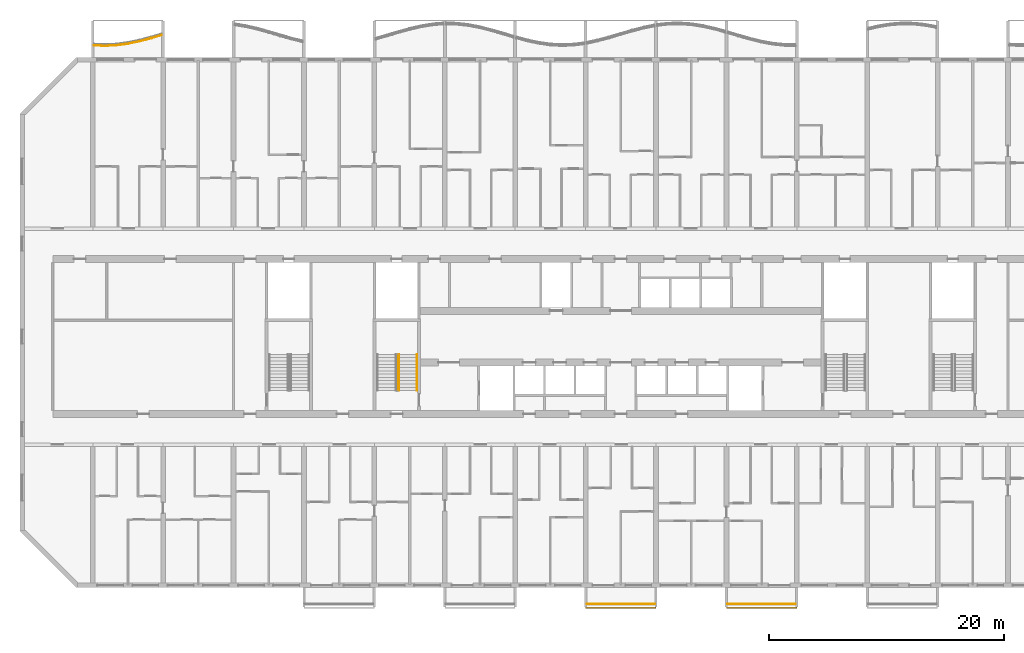
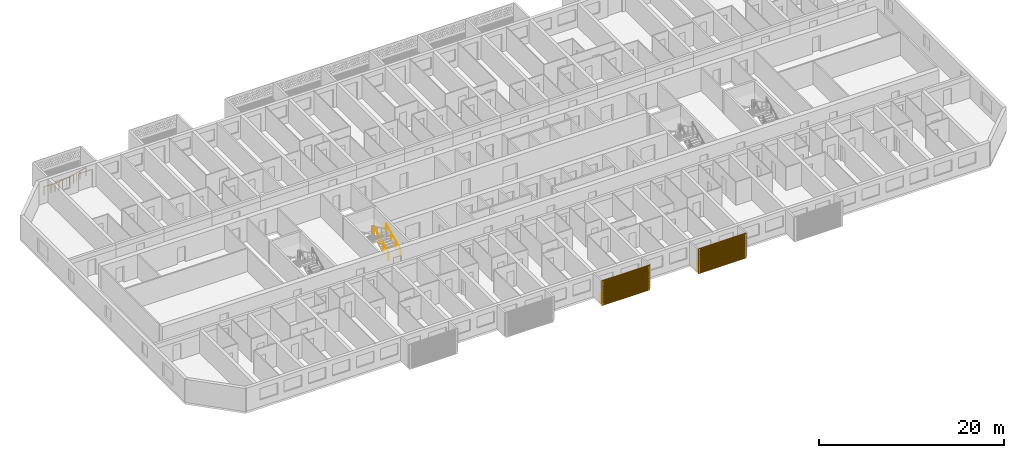
# One storey, part 22 of 44: 5 railings, 2 shading devices.
"""IFC4 building model written with IfcOpenShell, lengths in metres."""

from ifc_helpers import new_model, si_unit, direction, frame, origin, origin_2d, place, context, subcontext, project, spatial, polyline, circle, outline, extrude, source, transform, mapped, material, material_profile, profile_set, type_object, element, save


model = new_model("IFC4")

# Units and contexts
model_context = context("Model", 3, precision=1e-05, world=origin(), true_north=direction((0.0, 1.0)))
body_context = subcontext(model_context, "Body", "Model", "MODEL_VIEW")
ifc_project = project(units=[si_unit("LENGTHUNIT", "METRE"), si_unit("AREAUNIT", "SQUARE_METRE"), si_unit("VOLUMEUNIT", "CUBIC_METRE"), si_unit("PLANEANGLEUNIT", "RADIAN"), si_unit("MASSUNIT", "GRAM", prefix="KILO")], contexts=[model_context])

# Site, building, storey
site_placement = place(None, origin())
site = spatial("IfcSite", under=ifc_project, at=site_placement, CompositionType="ELEMENT")
building_placement = place(site_placement, origin())
building = spatial("IfcBuilding", under=site, at=building_placement, Name="Poui Terraces", CompositionType="ELEMENT")
storey_placement = place(building_placement, frame((0.0, 0.0, 30.0)))
storey = spatial("IfcBuildingStorey", under=building, at=storey_placement, Name="L07", CompositionType="ELEMENT", Elevation=30.0)

# Railings
ifc_material_1 = material(Name="Painted steel fretwork", Category="steel")
railing_type_1 = type_object("IfcRailingType", Name="BALCONY GUARD 1100", PredefinedType="GUARDRAIL", material=ifc_material_1)
railing_1_placement = place(storey_placement, frame((6.125, 46.010009765625, 0.0)))
element("IfcRailing", 1, at=railing_1_placement, inside=storey, type_object=railing_type_1, Name="BALCONY GUARD", PredefinedType="GUARDRAIL", context=body_context, shape_type="SweptSolid", body=[
    extrude(circle(Radius=0.02392578125, at=origin_2d()), frame((0.0, 0.0, 1.076171875), z_axis=(0.998967390489, -0.045432947726, 0.0), x_axis=(0.045432947726, 0.998967390489, 0.0)), (0.0, 0.0, 1.0), 0.8759765625),
    extrude(circle(Radius=0.02392578125, at=origin_2d()), frame((0.875, -0.039794921875, 1.076171875), z_axis=(0.999046469355, 0.043659501468, 0.0), x_axis=(-0.043659501468, 0.999046469355, 0.0)), (0.0, 0.0, 1.0), 1.0009765625),
    extrude(circle(Radius=0.02392578125, at=origin_2d()), frame((1.875, 0.00390625, 1.076171875), z_axis=(0.991104904979, 0.133082934018, 0.0), x_axis=(-0.133082934018, 0.991104904979, 0.0)), (0.0, 0.0, 1.0), 1.009033203125),
    extrude(circle(Radius=0.02392578125, at=origin_2d()), frame((2.875, 0.13818359375, 1.076171875), z_axis=(0.978420335295, 0.206624411629, 0.0), x_axis=(-0.206624411629, 0.978420335295, 0.0)), (0.0, 0.0, 1.0), 1.02197265625),
    extrude(circle(Radius=0.02392578125, at=origin_2d()), frame((3.875, 0.349365234375, 1.076171875), z_axis=(0.966309295868, 0.257383652781, 0.0), x_axis=(-0.257383652781, 0.966309295868, 0.0)), (0.0, 0.0, 1.0), 1.034912109375),
    extrude(circle(Radius=0.02392578125, at=origin_2d()), frame((4.875, 0.61572265625, 1.076171875), z_axis=(0.959518831385, 0.281644478409, 0.0), x_axis=(-0.281644478409, 0.959518831385, 0.0)), (0.0, 0.0, 1.0), 0.911865234375),
    extrude(circle(Radius=0.02099609375, at=origin_2d()), origin(), (0.0, 0.0, 1.0), 1.052001953125),
    extrude(circle(Radius=0.02099609375, at=origin_2d()), frame((0.875, -0.039794921875, 0.0)), (0.0, 0.0, 1.0), 1.052001953125),
    extrude(circle(Radius=0.02099609375, at=origin_2d()), frame((1.375, -0.01806640625, 0.0)), (0.0, 0.0, 1.0), 1.052001953125),
    extrude(circle(Radius=0.02099609375, at=origin_2d()), frame((1.875, 0.00390625, 0.0)), (0.0, 0.0, 1.0), 1.052001953125),
    extrude(circle(Radius=0.02099609375, at=origin_2d()), frame((2.375, 0.071044921875, 0.0)), (0.0, 0.0, 1.0), 1.052001953125),
    extrude(circle(Radius=0.02099609375, at=origin_2d()), frame((2.875, 0.13818359375, 0.0)), (0.0, 0.0, 1.0), 1.052001953125),
    extrude(circle(Radius=0.02099609375, at=origin_2d()), frame((3.375, 0.24365234375, 0.0)), (0.0, 0.0, 1.0), 1.052001953125),
    extrude(circle(Radius=0.02099609375, at=origin_2d()), frame((3.875, 0.349365234375, 0.0)), (0.0, 0.0, 1.0), 1.052001953125),
    extrude(circle(Radius=0.02099609375, at=origin_2d()), frame((4.375, 0.482421875, 0.0)), (0.0, 0.0, 1.0), 1.052001953125),
    extrude(circle(Radius=0.02099609375, at=origin_2d()), frame((4.875, 0.61572265625, 0.0)), (0.0, 0.0, 1.0), 1.052001953125),
    extrude(circle(Radius=0.02099609375, at=origin_2d()), frame((5.75, 0.87255859375, 0.0)), (0.0, 0.0, 1.0), 1.052001953125),
])
for number, where, name in (
    (2, (48.10009765625, -1.570068359375, 0.0), "BALCONY GUARD"),
    (3, (60.10009765625, -1.570068359375, 0.0), "BALCONY GUARD"),
):
    element("IfcRailing", number, at=place(storey_placement, frame(where)), inside=storey, type_object=railing_type_1, Name=name, PredefinedType="GUARDRAIL", context=body_context, shape_type="SweptSolid", body=[
        extrude(circle(Radius=0.02392578125, at=origin_2d()), frame((0.0, 0.0, 1.076171875), z_axis=(1.0, 0.0, 0.0), x_axis=(0.0, 1.0, 0.0)), (0.0, 0.0, 1.0), 5.7998046875),
        extrude(circle(Radius=0.02099609375, at=origin_2d()), origin(), (0.0, 0.0, 1.0), 1.052001953125),
        extrude(circle(Radius=0.02099609375, at=origin_2d()), frame((0.966552734375, 0.0, 0.0)), (0.0, 0.0, 1.0), 1.052001953125),
        extrude(circle(Radius=0.02099609375, at=origin_2d()), frame((1.933349609375, 0.0, 0.0)), (0.0, 0.0, 1.0), 1.052001953125),
        extrude(circle(Radius=0.02099609375, at=origin_2d()), frame((2.89990234375, 0.0, 0.0)), (0.0, 0.0, 1.0), 1.052001953125),
        extrude(circle(Radius=0.02099609375, at=origin_2d()), frame((3.866455078125, 0.0, 0.0)), (0.0, 0.0, 1.0), 1.052001953125),
        extrude(circle(Radius=0.02099609375, at=origin_2d()), frame((4.833251953125, 0.0, 0.0)), (0.0, 0.0, 1.0), 1.052001953125),
        extrude(circle(Radius=0.02099609375, at=origin_2d()), frame((5.7998046875, 0.0, 0.0)), (0.0, 0.0, 1.0), 1.052001953125),
    ])
ifc_material_2 = material(Name="Galvanised steel balustrade", Category="steel")
railing_type_2 = type_object("IfcRailingType", Name="STAIR GUARD 1100", PredefinedType="GUARDRAIL", material=ifc_material_2)
railing_2_placement = place(storey_placement, frame((32.074951171875, 16.60009765625, 0.137451171875)))
element("IfcRailing", 4, at=railing_2_placement, inside=storey, type_object=railing_type_2, Name="L07 ST-CW stair guard 1", PredefinedType="GUARDRAIL", context=body_context, shape_type="SweptSolid", body=[
    extrude(circle(Radius=0.02392578125, at=origin_2d()), frame((0.0, 0.0, 1.076171875), z_axis=(0.0, 0.897606190399, 0.440798283751), x_axis=(-1.0, 0.0, 0.0)), (0.0, 0.0, 1.0), 3.43115234375),
    extrude(circle(Radius=0.02099609375, at=origin_2d()), origin(), (0.0, 0.0, 1.0), 1.052001953125),
    extrude(circle(Radius=0.02099609375, at=origin_2d()), frame((0.0, 1.026611328125, 0.504150390625)), (0.0, 0.0, 1.0), 1.052001953125),
    extrude(circle(Radius=0.02099609375, at=origin_2d()), frame((0.0, 2.05322265625, 1.00830078125)), (0.0, 0.0, 1.0), 1.052001953125),
    extrude(circle(Radius=0.02099609375, at=origin_2d()), frame((0.0, 3.079833984375, 1.512451171875)), (0.0, 0.0, 1.0), 1.052001953125),
])
ifc_material_3 = material(Name="Stainless steel handrail", Category="steel")
railing_type_3 = type_object("IfcRailingType", Name="STAIR HANDRAIL 900", PredefinedType="HANDRAIL", material=ifc_material_3)
railing_3_placement = place(storey_placement, frame((33.625, 16.60009765625, 0.137451171875)))
element("IfcRailing", 5, at=railing_3_placement, inside=storey, type_object=railing_type_3, Name="L07 ST-CW stair handrail 1", PredefinedType="HANDRAIL", context=body_context, shape_type="SweptSolid", body=[
    extrude(circle(Radius=0.02392578125, at=origin_2d()), frame((0.0, 0.0, 0.8759765625), z_axis=(0.0, 0.897606190399, 0.440798283751), x_axis=(-1.0, 0.0, 0.0)), (0.0, 0.0, 1.0), 3.43115234375),
    extrude(circle(Radius=0.02099609375, at=origin_2d()), origin(), (0.0, 0.0, 1.0), 0.851806640625),
    extrude(circle(Radius=0.02099609375, at=origin_2d()), frame((0.0, 1.026611328125, 0.504150390625)), (0.0, 0.0, 1.0), 0.851806640625),
    extrude(circle(Radius=0.02099609375, at=origin_2d()), frame((0.0, 2.05322265625, 1.00830078125)), (0.0, 0.0, 1.0), 0.851806640625),
    extrude(circle(Radius=0.02099609375, at=origin_2d()), frame((0.0, 3.079833984375, 1.512451171875)), (0.0, 0.0, 1.0), 0.851806640625),
])

# Shading devices
ifc_material_4 = material(Name="Aluminium louvre", Category="aluminium")
ifc_material_profile = material_profile(ifc_material_4, outline(polyline([(-3.0, -1.64990234375), (3.0, -1.64990234375), (3.0, 1.64990234375), (-3.0, 1.64990234375), (-3.0, -1.64990234375)]), holes=[polyline([(-2.800048828125, -1.530029296875), (2.800048828125, -1.530029296875), (2.800048828125, -1.469970703125), (-2.800048828125, -1.469970703125), (-2.800048828125, -1.530029296875)]), polyline([(-2.800048828125, -1.429931640625), (2.800048828125, -1.429931640625), (2.800048828125, -1.3701171875), (-2.800048828125, -1.3701171875), (-2.800048828125, -1.429931640625)]), polyline([(-2.800048828125, -1.330078125), (2.800048828125, -1.330078125), (2.800048828125, -1.27001953125), (-2.800048828125, -1.27001953125), (-2.800048828125, -1.330078125)]), polyline([(-2.800048828125, -1.22998046875), (2.800048828125, -1.22998046875), (2.800048828125, -1.169921875), (-2.800048828125, -1.169921875), (-2.800048828125, -1.22998046875)]), polyline([(-2.800048828125, -1.1298828125), (2.800048828125, -1.1298828125), (2.800048828125, -1.070068359375), (-2.800048828125, -1.070068359375), (-2.800048828125, -1.1298828125)]), polyline([(-2.800048828125, -1.030029296875), (2.800048828125, -1.030029296875), (2.800048828125, -0.969970703125), (-2.800048828125, -0.969970703125), (-2.800048828125, -1.030029296875)]), polyline([(-2.800048828125, -0.929931640625), (2.800048828125, -0.929931640625), (2.800048828125, -0.8701171875), (-2.800048828125, -0.8701171875), (-2.800048828125, -0.929931640625)]), polyline([(-2.800048828125, -0.830078125), (2.800048828125, -0.830078125), (2.800048828125, -0.77001953125), (-2.800048828125, -0.77001953125), (-2.800048828125, -0.830078125)]), polyline([(-2.800048828125, -0.72998046875), (2.800048828125, -0.72998046875), (2.800048828125, -0.669921875), (-2.800048828125, -0.669921875), (-2.800048828125, -0.72998046875)]), polyline([(-2.800048828125, -0.6298828125), (2.800048828125, -0.6298828125), (2.800048828125, -0.570068359375), (-2.800048828125, -0.570068359375), (-2.800048828125, -0.6298828125)]), polyline([(-2.800048828125, -0.530029296875), (2.800048828125, -0.530029296875), (2.800048828125, -0.469970703125), (-2.800048828125, -0.469970703125), (-2.800048828125, -0.530029296875)]), polyline([(-2.800048828125, -0.429931640625), (2.800048828125, -0.429931640625), (2.800048828125, -0.3701171875), (-2.800048828125, -0.3701171875), (-2.800048828125, -0.429931640625)]), polyline([(-2.800048828125, -0.330078125), (2.800048828125, -0.330078125), (2.800048828125, -0.27001953125), (-2.800048828125, -0.27001953125), (-2.800048828125, -0.330078125)]), polyline([(-2.800048828125, -0.22998046875), (2.800048828125, -0.22998046875), (2.800048828125, -0.169921875), (-2.800048828125, -0.169921875), (-2.800048828125, -0.22998046875)]), polyline([(-2.800048828125, -0.1298828125), (2.800048828125, -0.1298828125), (2.800048828125, -0.070068359375), (-2.800048828125, -0.070068359375), (-2.800048828125, -0.1298828125)]), polyline([(-2.800048828125, -0.030029296875), (2.800048828125, -0.030029296875), (2.800048828125, 0.030029296875), (-2.800048828125, 0.030029296875), (-2.800048828125, -0.030029296875)]), polyline([(-2.800048828125, 0.070068359375), (2.800048828125, 0.070068359375), (2.800048828125, 0.1298828125), (-2.800048828125, 0.1298828125), (-2.800048828125, 0.070068359375)]), polyline([(-2.800048828125, 0.169921875), (2.800048828125, 0.169921875), (2.800048828125, 0.22998046875), (-2.800048828125, 0.22998046875), (-2.800048828125, 0.169921875)]), polyline([(-2.800048828125, 0.27001953125), (2.800048828125, 0.27001953125), (2.800048828125, 0.330078125), (-2.800048828125, 0.330078125), (-2.800048828125, 0.27001953125)]), polyline([(-2.800048828125, 0.3701171875), (2.800048828125, 0.3701171875), (2.800048828125, 0.429931640625), (-2.800048828125, 0.429931640625), (-2.800048828125, 0.3701171875)]), polyline([(-2.800048828125, 0.469970703125), (2.800048828125, 0.469970703125), (2.800048828125, 0.530029296875), (-2.800048828125, 0.530029296875), (-2.800048828125, 0.469970703125)]), polyline([(-2.800048828125, 0.570068359375), (2.800048828125, 0.570068359375), (2.800048828125, 0.6298828125), (-2.800048828125, 0.6298828125), (-2.800048828125, 0.570068359375)]), polyline([(-2.800048828125, 0.669921875), (2.800048828125, 0.669921875), (2.800048828125, 0.72998046875), (-2.800048828125, 0.72998046875), (-2.800048828125, 0.669921875)]), polyline([(-2.800048828125, 0.77001953125), (2.800048828125, 0.77001953125), (2.800048828125, 0.830078125), (-2.800048828125, 0.830078125), (-2.800048828125, 0.77001953125)]), polyline([(-2.800048828125, 0.8701171875), (2.800048828125, 0.8701171875), (2.800048828125, 0.929931640625), (-2.800048828125, 0.929931640625), (-2.800048828125, 0.8701171875)]), polyline([(-2.800048828125, 0.969970703125), (2.800048828125, 0.969970703125), (2.800048828125, 1.030029296875), (-2.800048828125, 1.030029296875), (-2.800048828125, 0.969970703125)]), polyline([(-2.800048828125, 1.070068359375), (2.800048828125, 1.070068359375), (2.800048828125, 1.1298828125), (-2.800048828125, 1.1298828125), (-2.800048828125, 1.070068359375)]), polyline([(-2.800048828125, 1.169921875), (2.800048828125, 1.169921875), (2.800048828125, 1.22998046875), (-2.800048828125, 1.22998046875), (-2.800048828125, 1.169921875)]), polyline([(-2.800048828125, 1.27001953125), (2.800048828125, 1.27001953125), (2.800048828125, 1.330078125), (-2.800048828125, 1.330078125), (-2.800048828125, 1.27001953125)]), polyline([(-2.800048828125, 1.3701171875), (2.800048828125, 1.3701171875), (2.800048828125, 1.429931640625), (-2.800048828125, 1.429931640625), (-2.800048828125, 1.3701171875)]), polyline([(-2.800048828125, 1.469970703125), (2.800048828125, 1.469970703125), (2.800048828125, 1.530029296875), (-2.800048828125, 1.530029296875), (-2.800048828125, 1.469970703125)])]), Name="JALOUSIE LOUVRE SHUTTER 6000X3300")
ifc_profile_set = profile_set([ifc_material_profile], Name="Aluminium louvre")
shading_device_type = type_object("IfcShadingDeviceType", Name="JALOUSIE LOUVRE SHUTTER 6000X3300", PredefinedType="JALOUSIE", material=ifc_profile_set)
shared_shape = source(origin(), body_context, "Body", "SweptSolid", [
    extrude(outline(polyline([(-3.0, -1.64990234375), (3.0, -1.64990234375), (3.0, 1.64990234375), (-3.0, 1.64990234375), (-3.0, -1.64990234375)]), holes=[polyline([(-2.800048828125, -1.530029296875), (2.800048828125, -1.530029296875), (2.800048828125, -1.469970703125), (-2.800048828125, -1.469970703125), (-2.800048828125, -1.530029296875)]), polyline([(-2.800048828125, -1.429931640625), (2.800048828125, -1.429931640625), (2.800048828125, -1.3701171875), (-2.800048828125, -1.3701171875), (-2.800048828125, -1.429931640625)]), polyline([(-2.800048828125, -1.330078125), (2.800048828125, -1.330078125), (2.800048828125, -1.27001953125), (-2.800048828125, -1.27001953125), (-2.800048828125, -1.330078125)]), polyline([(-2.800048828125, -1.22998046875), (2.800048828125, -1.22998046875), (2.800048828125, -1.169921875), (-2.800048828125, -1.169921875), (-2.800048828125, -1.22998046875)]), polyline([(-2.800048828125, -1.1298828125), (2.800048828125, -1.1298828125), (2.800048828125, -1.070068359375), (-2.800048828125, -1.070068359375), (-2.800048828125, -1.1298828125)]), polyline([(-2.800048828125, -1.030029296875), (2.800048828125, -1.030029296875), (2.800048828125, -0.969970703125), (-2.800048828125, -0.969970703125), (-2.800048828125, -1.030029296875)]), polyline([(-2.800048828125, -0.929931640625), (2.800048828125, -0.929931640625), (2.800048828125, -0.8701171875), (-2.800048828125, -0.8701171875), (-2.800048828125, -0.929931640625)]), polyline([(-2.800048828125, -0.830078125), (2.800048828125, -0.830078125), (2.800048828125, -0.77001953125), (-2.800048828125, -0.77001953125), (-2.800048828125, -0.830078125)]), polyline([(-2.800048828125, -0.72998046875), (2.800048828125, -0.72998046875), (2.800048828125, -0.669921875), (-2.800048828125, -0.669921875), (-2.800048828125, -0.72998046875)]), polyline([(-2.800048828125, -0.6298828125), (2.800048828125, -0.6298828125), (2.800048828125, -0.570068359375), (-2.800048828125, -0.570068359375), (-2.800048828125, -0.6298828125)]), polyline([(-2.800048828125, -0.530029296875), (2.800048828125, -0.530029296875), (2.800048828125, -0.469970703125), (-2.800048828125, -0.469970703125), (-2.800048828125, -0.530029296875)]), polyline([(-2.800048828125, -0.429931640625), (2.800048828125, -0.429931640625), (2.800048828125, -0.3701171875), (-2.800048828125, -0.3701171875), (-2.800048828125, -0.429931640625)]), polyline([(-2.800048828125, -0.330078125), (2.800048828125, -0.330078125), (2.800048828125, -0.27001953125), (-2.800048828125, -0.27001953125), (-2.800048828125, -0.330078125)]), polyline([(-2.800048828125, -0.22998046875), (2.800048828125, -0.22998046875), (2.800048828125, -0.169921875), (-2.800048828125, -0.169921875), (-2.800048828125, -0.22998046875)]), polyline([(-2.800048828125, -0.1298828125), (2.800048828125, -0.1298828125), (2.800048828125, -0.070068359375), (-2.800048828125, -0.070068359375), (-2.800048828125, -0.1298828125)]), polyline([(-2.800048828125, -0.030029296875), (2.800048828125, -0.030029296875), (2.800048828125, 0.030029296875), (-2.800048828125, 0.030029296875), (-2.800048828125, -0.030029296875)]), polyline([(-2.800048828125, 0.070068359375), (2.800048828125, 0.070068359375), (2.800048828125, 0.1298828125), (-2.800048828125, 0.1298828125), (-2.800048828125, 0.070068359375)]), polyline([(-2.800048828125, 0.169921875), (2.800048828125, 0.169921875), (2.800048828125, 0.22998046875), (-2.800048828125, 0.22998046875), (-2.800048828125, 0.169921875)]), polyline([(-2.800048828125, 0.27001953125), (2.800048828125, 0.27001953125), (2.800048828125, 0.330078125), (-2.800048828125, 0.330078125), (-2.800048828125, 0.27001953125)]), polyline([(-2.800048828125, 0.3701171875), (2.800048828125, 0.3701171875), (2.800048828125, 0.429931640625), (-2.800048828125, 0.429931640625), (-2.800048828125, 0.3701171875)]), polyline([(-2.800048828125, 0.469970703125), (2.800048828125, 0.469970703125), (2.800048828125, 0.530029296875), (-2.800048828125, 0.530029296875), (-2.800048828125, 0.469970703125)]), polyline([(-2.800048828125, 0.570068359375), (2.800048828125, 0.570068359375), (2.800048828125, 0.6298828125), (-2.800048828125, 0.6298828125), (-2.800048828125, 0.570068359375)]), polyline([(-2.800048828125, 0.669921875), (2.800048828125, 0.669921875), (2.800048828125, 0.72998046875), (-2.800048828125, 0.72998046875), (-2.800048828125, 0.669921875)]), polyline([(-2.800048828125, 0.77001953125), (2.800048828125, 0.77001953125), (2.800048828125, 0.830078125), (-2.800048828125, 0.830078125), (-2.800048828125, 0.77001953125)]), polyline([(-2.800048828125, 0.8701171875), (2.800048828125, 0.8701171875), (2.800048828125, 0.929931640625), (-2.800048828125, 0.929931640625), (-2.800048828125, 0.8701171875)]), polyline([(-2.800048828125, 0.969970703125), (2.800048828125, 0.969970703125), (2.800048828125, 1.030029296875), (-2.800048828125, 1.030029296875), (-2.800048828125, 0.969970703125)]), polyline([(-2.800048828125, 1.070068359375), (2.800048828125, 1.070068359375), (2.800048828125, 1.1298828125), (-2.800048828125, 1.1298828125), (-2.800048828125, 1.070068359375)]), polyline([(-2.800048828125, 1.169921875), (2.800048828125, 1.169921875), (2.800048828125, 1.22998046875), (-2.800048828125, 1.22998046875), (-2.800048828125, 1.169921875)]), polyline([(-2.800048828125, 1.27001953125), (2.800048828125, 1.27001953125), (2.800048828125, 1.330078125), (-2.800048828125, 1.330078125), (-2.800048828125, 1.27001953125)]), polyline([(-2.800048828125, 1.3701171875), (2.800048828125, 1.3701171875), (2.800048828125, 1.429931640625), (-2.800048828125, 1.429931640625), (-2.800048828125, 1.3701171875)]), polyline([(-2.800048828125, 1.469970703125), (2.800048828125, 1.469970703125), (2.800048828125, 1.530029296875), (-2.800048828125, 1.530029296875), (-2.800048828125, 1.469970703125)])]), origin(), (0.0, 0.0, 1.0), 0.099853515625),
])
for number, where, z_axis, x_axis, name in (
    (6, (51.0, -1.85009765625, 1.449951171875), (0.0, -1.0, 0.0), (1.0, 0.0, 0.0), "JALOUSIE LOUVRE SHUTTER"),
    (7, (63.0, -1.85009765625, 1.449951171875), (0.0, -1.0, 0.0), (1.0, 0.0, 0.0), "JALOUSIE LOUVRE SHUTTER"),
):
    element("IfcShadingDevice", number, at=place(storey_placement, frame(where, z_axis=z_axis, x_axis=x_axis)), inside=storey, type_object=shading_device_type, Name=name, PredefinedType="JALOUSIE", context=body_context, shape_type="MappedRepresentation", body=[
        mapped(shared_shape, transform((0.0, 0.0, 0.0))),
    ])

save(model, "model.ifc")
